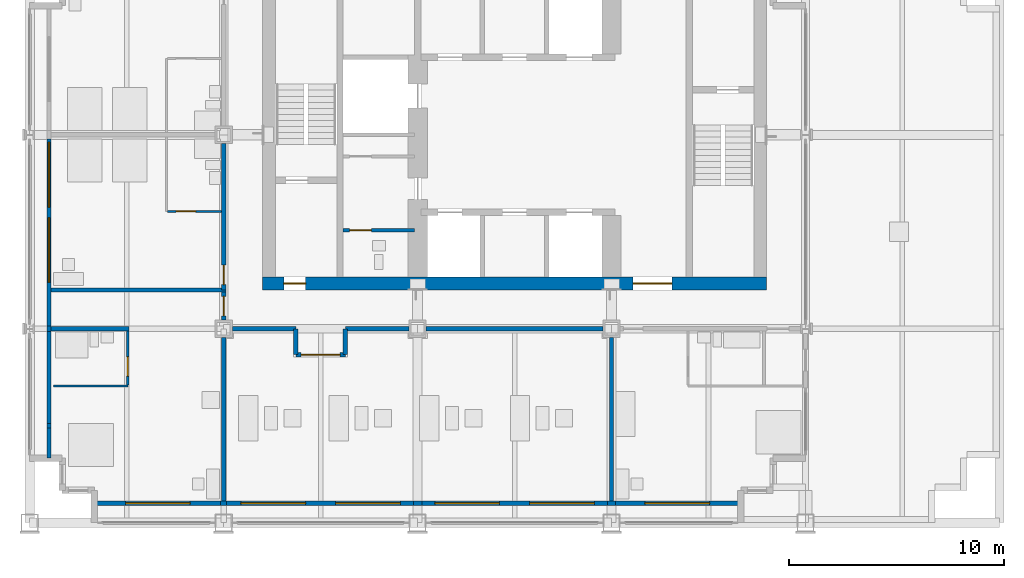
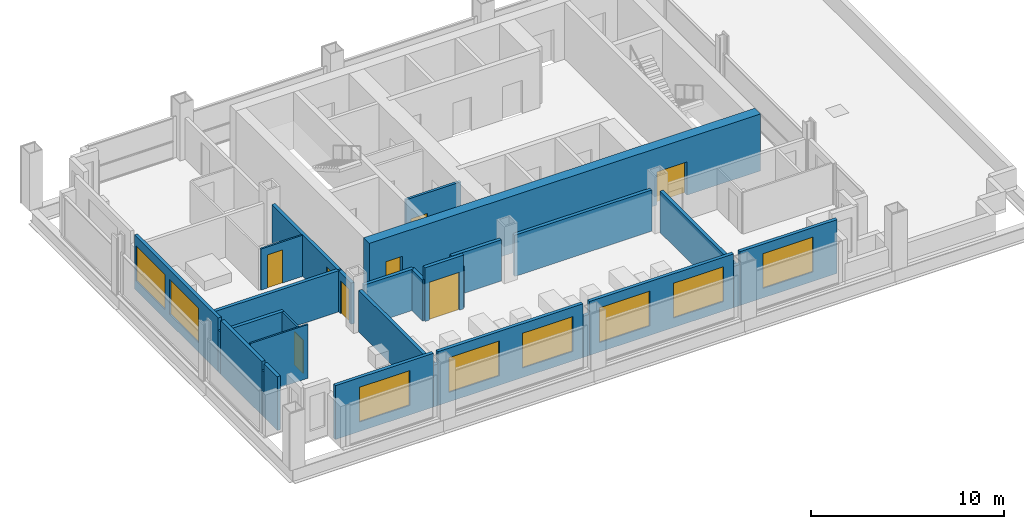
# One storey, part 6 of 12: 29 walls, 8 doors, 8 windows, 16 openings.
"""IFC4 building model written with IfcOpenShell, lengths in metres."""

import ifcopenshell
import ifcopenshell.guid

model = None  # the IFC model being written
_history = None  # IfcOwnerHistory: only IFC2X3 demands one
_inside = {}  # id of a spatial element -> (the spatial element, [elements in it])
_under = {}  # id of a project, library or spatial element -> (it, [spatial elements below it])
_declared = {}  # id of a project -> (the project, [libraries it declares])
_typed = {}  # id of a type object -> (the type object, [elements of that type])
_made_of = {}  # id of a material, layer set ... -> (it, [elements and type objects made of it])


def new_model(schema):
    """Start an empty IFC model of exactly this schema.

    Asked for "IFC4X3", IfcOpenShell would pick the latest addendum, in which some entities
    have other attributes; the version numbers below select the first issue.
    IFC2X3 requires an IfcOwnerHistory on every rooted entity: one is made here for all.
    """
    global model, _history
    if schema == "IFC4X3":
        model = ifcopenshell.file(schema_version=(4, 3, 0, 0))
    else:
        model = ifcopenshell.file(schema=schema)
    _inside.clear()
    _under.clear()
    _declared.clear()
    _typed.clear()
    _made_of.clear()
    _history = None
    if model.schema == "IFC2X3":
        org = make("IfcOrganization", Name="unknown")
        user = make(
            "IfcPersonAndOrganization",
            ThePerson=make("IfcPerson", FamilyName="unknown"),
            TheOrganization=org,
        )
        app = make(
            "IfcApplication",
            ApplicationDeveloper=org,
            Version="unknown",
            ApplicationFullName="unknown",
            ApplicationIdentifier="unknown",
        )
        _history = make(
            "IfcOwnerHistory",
            OwningUser=user,
            OwningApplication=app,
            ChangeAction="ADDED",
            CreationDate=0,
        )
    return model


def make(cls, **values):
    """One entity of the class cls with the attributes given. An attribute that is None is left unset."""
    return model.create_entity(
        cls, **{name: value for name, value in values.items() if value is not None}
    )


def rooted(cls, **values):
    """An entity with a GlobalId (a new one), such as an element, a storey or a relation."""
    return make(cls, GlobalId=ifcopenshell.guid.new(), OwnerHistory=_history, **values)


def si_unit(unit_type, name, prefix=None):
    """IfcSIUnit, for example si_unit("LENGTHUNIT", "METRE", prefix="MILLI")."""
    return make("IfcSIUnit", UnitType=unit_type, Prefix=prefix, Name=name)


def assignment(units):
    """IfcUnitAssignment: the units of a project."""
    return None if units is None else make("IfcUnitAssignment", Units=units)


def point(xyz):
    """IfcCartesianPoint."""
    return None if xyz is None else make("IfcCartesianPoint", Coordinates=xyz)


def direction(xyz):
    """IfcDirection."""
    return None if xyz is None else make("IfcDirection", DirectionRatios=xyz)


def frame(location, z_axis=None, x_axis=None):
    """IfcAxis2Placement3D, a coordinate frame: its origin and axes. An axis left out is left unset."""
    return make(
        "IfcAxis2Placement3D",
        Location=point(location),
        Axis=direction(z_axis),
        RefDirection=direction(x_axis),
    )


def frame_2d(location, x_axis=None):
    """IfcAxis2Placement2D, a coordinate frame in the plane: its origin and x axis."""
    return make(
        "IfcAxis2Placement2D", Location=point(location), RefDirection=direction(x_axis)
    )


def origin():
    """The frame at (0, 0, 0) with its axes left unset."""
    return frame((0.0, 0.0, 0.0))


def place(relative_to, where):
    """IfcLocalPlacement: puts the frame where relative to a parent placement (None: the world)."""
    return make(
        "IfcLocalPlacement", PlacementRelTo=relative_to, RelativePlacement=where
    )


def context(
    kind, dimensions, precision=None, world=None, true_north=None, identifier=None
):
    """IfcGeometricRepresentationContext, for example the 3D "Model" context."""
    return make(
        "IfcGeometricRepresentationContext",
        ContextIdentifier=identifier,
        ContextType=kind,
        CoordinateSpaceDimension=dimensions,
        Precision=precision,
        WorldCoordinateSystem=world,
        TrueNorth=true_north,
    )


def subcontext(parent, identifier, kind, view, scale=None):
    """IfcGeometricRepresentationSubContext, for example "Body" below "Model"."""
    return make(
        "IfcGeometricRepresentationSubContext",
        ContextIdentifier=identifier,
        ContextType=kind,
        ParentContext=parent,
        TargetScale=scale,
        TargetView=view,
    )


def project(units=None, contexts=None):
    """IfcProject with its units and contexts."""
    return rooted(
        "IfcProject",
        Name="project",
        RepresentationContexts=contexts,
        UnitsInContext=assignment(units),
    )


def spatial(cls, under=None, at=None, **own):
    """A site, building, storey or space (cls), placed at a placement, below another one or the project."""
    s = rooted(cls, ObjectPlacement=at, **own)
    if under is not None:
        _under.setdefault(under.id(), (under, []))[1].append(s)
    return s


def profile(cls, at=None, kind="AREA", **sizes):
    """A parametric profile (cls). Its sizes go by their IFC names, for example OverallWidth=200.0."""
    return make(cls, ProfileType=kind, Position=at, **sizes)


def rectangle(**sizes):
    """IfcRectangleProfileDef."""
    return profile("IfcRectangleProfileDef", **sizes)


def extrude(swept, where, along, depth):
    """IfcExtrudedAreaSolid: the profile swept, set in the frame where, extruded along a direction by depth."""
    return make(
        "IfcExtrudedAreaSolid",
        SweptArea=swept,
        Position=where,
        ExtrudedDirection=direction(along),
        Depth=depth,
    )


def shape(context_of_items, identifier, shape_type, items):
    """IfcShapeRepresentation: the items that make up one representation, for example the "Body"."""
    return make(
        "IfcShapeRepresentation",
        ContextOfItems=context_of_items,
        RepresentationIdentifier=identifier,
        RepresentationType=shape_type,
        Items=items,
    )


def material(Name=None, Category=None):
    """IfcMaterial."""
    return make("IfcMaterial", Name=Name, Category=Category)


def layer(
    of_material, thickness, ventilated=None, Name=None, Category=None, Priority=None
):
    """IfcMaterialLayer: one layer of a wall or slab, of a material (None: an air gap)."""
    return make(
        "IfcMaterialLayer",
        Material=of_material,
        LayerThickness=thickness,
        IsVentilated=ventilated,
        Name=Name,
        Category=Category,
        Priority=Priority,
    )


def layer_set(layers, Name=None):
    """IfcMaterialLayerSet."""
    return make("IfcMaterialLayerSet", MaterialLayers=layers, LayerSetName=Name)


def made_of(thing, what):
    """Note that an element or type object is made of a material, layer set ...; save() writes the relation."""
    if what is not None:
        _made_of.setdefault(what.id(), (what, []))[1].append(thing)
    return thing


def type_object(cls, material=None, **own):
    """A type object (cls), such as IfcWallType, which elements share."""
    return made_of(rooted(cls, **own), material)


def element(
    cls,
    number,
    at=None,
    inside=None,
    cuts=None,
    type_object=None,
    material=None,
    context=None,
    identifier="Body",
    shape_type=None,
    held_by="IfcProductDefinitionShape",
    body=None,
    shapes=None,
    **own,
):
    """One element of the class cls, such as IfcWall. Its Tag is "e" and its number.

    at: its placement. inside: the storey or other place that contains it. cuts: it is an
    opening in that element (IfcRelVoidsElement). A single representation is given by context,
    identifier, shape_type and body (its items); several are given by shapes. held_by: the class
    of the entity that holds the representations. save() writes the other relations.
    """
    e = rooted(cls, Tag="e%d" % number, ObjectPlacement=at, **own)
    if body is not None:
        shapes = [shape(context, identifier, shape_type, body)]
    if shapes is not None:
        e.Representation = make(held_by, Representations=shapes)
    if inside is not None:
        _inside.setdefault(inside.id(), (inside, []))[1].append(e)
    if cuts is not None:
        rooted(
            "IfcRelVoidsElement", RelatingBuildingElement=cuts, RelatedOpeningElement=e
        )
    if type_object is not None:
        _typed.setdefault(type_object.id(), (type_object, []))[1].append(e)
    return made_of(e, material)


def fill(opening, filler):
    """IfcRelFillsElement: the door or window that sits in an opening."""
    return rooted(
        "IfcRelFillsElement",
        RelatingOpeningElement=opening,
        RelatedBuildingElement=filler,
    )


def aggregate(whole, parts):
    """IfcRelAggregates: a whole, such as a stair, and the parts it consists of."""
    return rooted("IfcRelAggregates", RelatingObject=whole, RelatedObjects=parts)


def save(model, path):
    """Write the relations noted so far, then the file.

    IfcRelAggregates (storeys below a building ...), IfcRelContainedInSpatialStructure (elements
    in a storey), IfcRelDefinesByType, IfcRelAssociatesMaterial and IfcRelDeclares: one each for
    every whole, place, type object, material and project.
    """
    for whole, parts in _under.values():
        aggregate(whole, parts)
    for where, things in _inside.values():
        rooted(
            "IfcRelContainedInSpatialStructure",
            RelatedElements=things,
            RelatingStructure=where,
        )
    for kind, things in _typed.values():
        rooted("IfcRelDefinesByType", RelatedObjects=things, RelatingType=kind)
    for what, things in _made_of.values():
        rooted("IfcRelAssociatesMaterial", RelatedObjects=things, RelatingMaterial=what)
    for by, libraries in _declared.values():
        rooted("IfcRelDeclares", RelatingContext=by, RelatedDefinitions=libraries)
    model.write(path)


model = new_model("IFC4")

# Units and contexts
model_context = context("Model", 3, precision=1e-05, world=origin(), true_north=direction((0.0, 1.0)))
body_context = subcontext(model_context, "Body", "Model", "MODEL_VIEW")
ifc_project = project(units=[si_unit("LENGTHUNIT", "METRE"), si_unit("AREAUNIT", "SQUARE_METRE"), si_unit("VOLUMEUNIT", "CUBIC_METRE"), si_unit("PLANEANGLEUNIT", "RADIAN"), si_unit("MASSUNIT", "GRAM", prefix="KILO")], contexts=[model_context])

# Site, building, storey
site_placement = place(None, origin())
site = spatial("IfcSite", under=ifc_project, at=site_placement, CompositionType="ELEMENT")
building_placement = place(site_placement, origin())
building = spatial("IfcBuilding", under=site, at=building_placement, Name="Loomwork Tower", CompositionType="ELEMENT")
storey_placement = place(building_placement, frame((0.0, 0.0, 226.60009765625)))
storey = spatial("IfcBuildingStorey", under=building, at=storey_placement, Name="L62", CompositionType="ELEMENT", Elevation=226.60009765625)

# Wall, openings, doors
ifc_material_1 = material(Name="Concrete 14000 psi (97 MPa)", Category="concrete")
ifc_layer_1 = layer(ifc_material_1, 0.60009765625)
ifc_layer_set_1 = layer_set([ifc_layer_1], Name="Core shear wall 600")
wall_type_1 = type_object("IfcWallType", Name="Core shear wall 600", PredefinedType="SHEAR", material=ifc_layer_set_1)
wall_1_placement = place(storey_placement, frame((10.800048828125, 11.10009765625, 0.0), z_axis=(0.0, 0.0, 1.0), x_axis=(1.0, 0.0, 0.0)))
wall_1 = element("IfcWall", 1, at=wall_1_placement, inside=storey, type_object=wall_type_1, Name="Core wall south L62", PredefinedType="SHEAR", context=body_context, shape_type="SweptSolid", body=[
    extrude(rectangle(XDim=23.39990234375, YDim=0.60009765625, at=frame_2d((11.699951171875, 0.0))), origin(), (0.0, 0.0, 1.0), 3.599853515625),
])
opening_1_placement = place(wall_1_placement, frame((1.0, 0.0, 0.0)))
opening_1 = element("IfcOpeningElement", 2, at=opening_1_placement, cuts=wall_1, Name="Opening D4", PredefinedType="OPENING", context=body_context, shape_type="SweptSolid", body=[
    extrude(rectangle(XDim=1.0, YDim=2.10009765625, at=frame_2d((0.5, 1.050048828125))), frame((0.0, 0.31005859375, 0.0), z_axis=(0.0, -1.0, 0.0), x_axis=(1.0, 0.0, 0.0)), (0.0, 0.0, 1.0), 0.6201171875),
])
opening_2_placement = place(wall_1_placement, frame((17.199951171875, 0.0, 0.0)))
opening_2 = element("IfcOpeningElement", 3, at=opening_2_placement, cuts=wall_1, Name="Opening D6", PredefinedType="OPENING", context=body_context, shape_type="SweptSolid", body=[
    extrude(rectangle(XDim=1.800048828125, YDim=2.10009765625, at=frame_2d((0.89990234375, 1.050048828125))), frame((0.0, 0.31005859375, 0.0), z_axis=(0.0, -1.0, 0.0), x_axis=(1.0, 0.0, 0.0)), (0.0, 0.0, 1.0), 0.6201171875),
])
ifc_material_2 = material(Name="Hollow metal door and frame")
door_type_1 = type_object("IfcDoorType", Name="Lobby passage double door 1800", OperationType="DOUBLE_DOOR_SINGLE_SWING", PredefinedType="DOOR", material=ifc_material_2)
door_1_placement = place(opening_2_placement, origin())
door_1 = element("IfcDoor", 4, at=door_1_placement, inside=storey, type_object=door_type_1, Name="Lobby passage door south", OperationType="DOUBLE_DOOR_SINGLE_SWING", OverallHeight=2.10009765625, OverallWidth=1.800048828125, PredefinedType="DOOR", context=body_context, shape_type="SweptSolid", body=[
    extrude(rectangle(XDim=1.800048828125, YDim=2.10009765625, at=frame_2d((0.89990234375, 1.050048828125))), frame((0.0, 0.02490234375, 0.0), z_axis=(0.0, -1.0, 0.0), x_axis=(1.0, 0.0, 0.0)), (0.0, 0.0, 1.0), 0.050048828125),
])
fill(opening_2, door_1)
ifc_material_3 = material(Name="Hollow metal door and frame")
door_type_2 = type_object("IfcDoorType", Name="Stair door 1000", OperationType="SINGLE_SWING_RIGHT", PredefinedType="DOOR", material=ifc_material_3)
door_2_placement = place(opening_1_placement, origin())
door_2 = element("IfcDoor", 5, at=door_2_placement, inside=storey, type_object=door_type_2, Name="Stair A vestibule door", OperationType="SINGLE_SWING_LEFT", OverallHeight=2.10009765625, OverallWidth=1.0, PredefinedType="DOOR", context=body_context, shape_type="SweptSolid", body=[
    extrude(rectangle(XDim=1.0, YDim=2.10009765625, at=frame_2d((0.5, 1.050048828125))), frame((0.0, 0.02490234375, 0.0), z_axis=(0.0, -1.0, 0.0), x_axis=(1.0, 0.0, 0.0)), (0.0, 0.0, 1.0), 0.050048828125),
])
fill(opening_1, door_2)

# Walls
ifc_material_4 = material(Name="Gypsum board on steel studs, one-hour", Category="steel")
ifc_layer_2 = layer(ifc_material_4, 0.199951171875)
ifc_layer_set_2 = layer_set([ifc_layer_2], Name="Corridor wall 200")
wall_type_2 = type_object("IfcWallType", Name="Corridor wall 200", PredefinedType="PARTITIONING", material=ifc_layer_set_2)
wall_2_placement = place(storey_placement, frame((1.0, 9.0, 0.0), z_axis=(0.0, 0.0, 1.0), x_axis=(1.0, 0.0, 0.0)))
element("IfcWall", 6, at=wall_2_placement, inside=storey, type_object=wall_type_2, Name="South corridor wall 1", PredefinedType="PARTITIONING", context=body_context, shape_type="SweptSolid", body=[
    extrude(rectangle(XDim=3.60009765625, YDim=0.199951171875, at=frame_2d((1.800048828125, 0.0))), origin(), (0.0, 0.0, 1.0), 2.637939453125),
])
wall_3_placement = place(storey_placement, frame((9.39990234375, 9.0, 0.0), z_axis=(0.0, 0.0, 1.0), x_axis=(1.0, 0.0, 0.0)))
element("IfcWall", 7, at=wall_3_placement, inside=storey, type_object=wall_type_2, Name="South corridor wall 2", PredefinedType="PARTITIONING", context=body_context, shape_type="SweptSolid", body=[
    extrude(rectangle(XDim=2.9501953125, YDim=0.199951171875, at=frame_2d((1.47509765625, 0.0))), origin(), (0.0, 0.0, 1.0), 2.60498046875),
])
wall_4_placement = place(storey_placement, frame((18.39990234375, 9.0, 0.0), z_axis=(0.0, 0.0, 1.0), x_axis=(1.0, 0.0, 0.0)))
element("IfcWall", 8, at=wall_4_placement, inside=storey, type_object=wall_type_2, Name="South corridor wall 3", PredefinedType="PARTITIONING", context=body_context, shape_type="SweptSolid", body=[
    extrude(rectangle(XDim=8.2001953125, YDim=0.199951171875, at=frame_2d((4.10009765625, 0.0))), origin(), (0.0, 0.0, 1.0), 2.60498046875),
])

# Wall, opening, door
wall_5_placement = place(storey_placement, frame((9.0, 10.800048828125, 0.0), z_axis=(0.0, 0.0, 1.0), x_axis=(0.0, 1.0, 0.0)))
wall_5 = element("IfcWall", 9, at=wall_5_placement, inside=storey, type_object=wall_type_2, Name="West corridor wall 1", PredefinedType="PARTITIONING", context=body_context, shape_type="SweptSolid", body=[
    extrude(rectangle(XDim=6.800048828125, YDim=0.199951171875, at=frame_2d((3.39990234375, 0.0))), origin(), (0.0, 0.0, 1.0), 2.60498046875),
])
opening_3_placement = place(wall_5_placement, frame((0.25, 0.0, 0.0)))
opening_3 = element("IfcOpeningElement", 10, at=opening_3_placement, cuts=wall_5, Name="Opening D1", PredefinedType="OPENING", context=body_context, shape_type="SweptSolid", body=[
    extrude(rectangle(XDim=0.89990234375, YDim=2.10009765625, at=frame_2d((0.449951171875, 1.050048828125))), frame((0.0, 0.10986328125, 0.0), z_axis=(0.0, -1.0, 0.0), x_axis=(1.0, 0.0, 0.0)), (0.0, 0.0, 1.0), 0.219970703125),
])
ifc_material_5 = material(Name="Hollow metal door and frame")
door_type_3 = type_object("IfcDoorType", Name="Guest room entry door 900", OperationType="SINGLE_SWING_LEFT", PredefinedType="DOOR", material=ifc_material_5)
door_3_placement = place(opening_3_placement, origin())
door_3 = element("IfcDoor", 11, at=door_3_placement, inside=storey, type_object=door_type_3, Name="Guest room entry door L62 4", OperationType="SINGLE_SWING_LEFT", OverallHeight=2.10009765625, OverallWidth=0.89990234375, PredefinedType="DOOR", context=body_context, shape_type="SweptSolid", body=[
    extrude(rectangle(XDim=0.89990234375, YDim=2.10009765625, at=frame_2d((0.449951171875, 1.050048828125))), frame((0.0, 0.02490234375, 0.0), z_axis=(0.0, -1.0, 0.0), x_axis=(1.0, 0.0, 0.0)), (0.0, 0.0, 1.0), 0.050048828125),
])
fill(opening_3, door_3)

# Walls
wall_6_placement = place(storey_placement, frame((1.0, 10.800048828125, 0.0), z_axis=(0.0, 0.0, 1.0), x_axis=(1.0, 0.0, 0.0)))
element("IfcWall", 12, at=wall_6_placement, inside=storey, type_object=wall_type_2, Name="West band end wall S", PredefinedType="PARTITIONING", context=body_context, shape_type="SweptSolid", body=[
    extrude(rectangle(XDim=8.10009765625, YDim=0.199951171875, at=frame_2d((4.050048828125, 0.0))), origin(), (0.0, 0.0, 1.0), 2.60400390625),
])
wall_7_placement = place(storey_placement, frame((14.64990234375, 9.0, 0.0), z_axis=(0.0, 0.0, 1.0), x_axis=(1.0, 0.0, 0.0)))
element("IfcWall", 13, at=wall_7_placement, inside=storey, type_object=wall_type_2, Name="South corridor wall 2", PredefinedType="PARTITIONING", context=body_context, shape_type="SweptSolid", body=[
    extrude(rectangle(XDim=2.9501953125, YDim=0.199951171875, at=frame_2d((1.47509765625, 0.0))), origin(), (0.0, 0.0, 1.0), 2.60498046875),
])
for number, where, z_axis, x_axis, name in (
    (14, (12.35009765625, 9.0, 0.0), (0.0, 0.0, 1.0), (0.0, -1.0, 0.0), "Sky club lounge door L62 alcove wall"),
    (15, (14.64990234375, 9.0, 0.0), (0.0, 0.0, 1.0), (0.0, -1.0, 0.0), "Sky club lounge door L62 alcove wall"),
):
    element("IfcWall", number, at=place(storey_placement, frame(where, z_axis=z_axis, x_axis=x_axis)), inside=storey, type_object=wall_type_2, Name=name, PredefinedType="PARTITIONING", context=body_context, shape_type="SweptSolid", body=[
        extrude(rectangle(XDim=1.199951171875, YDim=0.199951171875, at=frame_2d((0.60009765625, 0.0))), origin(), (0.0, 0.0, 1.0), 2.60400390625),
    ])

# Wall, opening, door
wall_8_placement = place(storey_placement, frame((12.35009765625, 7.800048828125, 0.0), z_axis=(0.0, 0.0, 1.0), x_axis=(1.0, 0.0, 0.0)))
wall_8 = element("IfcWall", 16, at=wall_8_placement, inside=storey, type_object=wall_type_2, Name="Sky club lounge door L62 alcove wall", PredefinedType="PARTITIONING", context=body_context, shape_type="SweptSolid", body=[
    extrude(rectangle(XDim=2.2998046875, YDim=0.199951171875, at=frame_2d((1.14990234375, 0.0))), origin(), (0.0, 0.0, 1.0), 3.39990234375),
])
opening_4_placement = place(wall_8_placement, frame((0.25, 0.0, 0.0)))
opening_4 = element("IfcOpeningElement", 17, at=opening_4_placement, cuts=wall_8, Name="Opening D16", PredefinedType="OPENING", context=body_context, shape_type="SweptSolid", body=[
    extrude(rectangle(XDim=1.800048828125, YDim=2.39990234375, at=frame_2d((0.89990234375, 1.199951171875))), frame((0.0, 0.10986328125, 0.0), z_axis=(0.0, -1.0, 0.0), x_axis=(1.0, 0.0, 0.0)), (0.0, 0.0, 1.0), 0.219970703125),
])
ifc_material_6 = material(Name="Hollow metal door and frame")
door_type_4 = type_object("IfcDoorType", Name="Fire-rated double door 1800", OperationType="DOUBLE_DOOR_SINGLE_SWING", PredefinedType="DOOR", material=ifc_material_6)
door_4_placement = place(opening_4_placement, origin())
door_4 = element("IfcDoor", 18, at=door_4_placement, inside=storey, type_object=door_type_4, Name="Sky club lounge door L62", OperationType="DOUBLE_DOOR_SINGLE_SWING", OverallHeight=2.39990234375, OverallWidth=1.800048828125, PredefinedType="DOOR", context=body_context, shape_type="SweptSolid", body=[
    extrude(rectangle(XDim=1.800048828125, YDim=2.39990234375, at=frame_2d((0.89990234375, 1.199951171875))), frame((0.0, 0.02490234375, 0.0), z_axis=(0.0, -1.0, 0.0), x_axis=(1.0, 0.0, 0.0)), (0.0, 0.0, 1.0), 0.050048828125),
])
fill(opening_4, door_4)

wall_9_placement = place(storey_placement, frame((9.0, 9.39990234375, 0.0), z_axis=(0.0, 0.0, 1.0), x_axis=(0.0, 1.0, 0.0)))
wall_9 = element("IfcWall", 19, at=wall_9_placement, inside=storey, type_object=wall_type_2, Name="Corner suite foyer wall", PredefinedType="PARTITIONING", context=body_context, shape_type="SweptSolid", body=[
    extrude(rectangle(XDim=1.300048828125, YDim=0.199951171875, at=frame_2d((0.64990234375, 0.0))), origin(), (0.0, 0.0, 1.0), 2.60498046875),
])
opening_5_placement = place(wall_9_placement, frame((0.199951171875, 0.0, 0.0)))
opening_5 = element("IfcOpeningElement", 20, at=opening_5_placement, cuts=wall_9, Name="Opening D1", PredefinedType="OPENING", context=body_context, shape_type="SweptSolid", body=[
    extrude(rectangle(XDim=0.89990234375, YDim=2.10009765625, at=frame_2d((0.449951171875, 1.050048828125))), frame((0.0, 0.10986328125, 0.0), z_axis=(0.0, -1.0, 0.0), x_axis=(1.0, 0.0, 0.0)), (0.0, 0.0, 1.0), 0.219970703125),
])
door_5_placement = place(opening_5_placement, origin())
door_5 = element("IfcDoor", 21, at=door_5_placement, inside=storey, type_object=door_type_3, Name="Guest room entry door L62 1", OperationType="SINGLE_SWING_RIGHT", OverallHeight=2.10009765625, OverallWidth=0.89990234375, PredefinedType="DOOR", context=body_context, shape_type="SweptSolid", body=[
    extrude(rectangle(XDim=0.89990234375, YDim=2.10009765625, at=frame_2d((0.449951171875, 1.050048828125))), frame((0.0, 0.02490234375, 0.0), z_axis=(0.0, -1.0, 0.0), x_axis=(1.0, 0.0, 0.0)), (0.0, 0.0, 1.0), 0.050048828125),
])
fill(opening_5, door_5)

# Wall
ifc_material_7 = material(Name="Cement board on steel studs", Category="steel")
ifc_layer_3 = layer(ifc_material_7, 0.10009765625)
ifc_layer_set_3 = layer_set([ifc_layer_3], Name="En-suite partition 100")
wall_type_3 = type_object("IfcWallType", Name="En-suite partition 100", PredefinedType="PARTITIONING", material=ifc_layer_set_3)
wall_10_placement = place(storey_placement, frame((1.10009765625, 6.35009765625, 0.0), z_axis=(0.0, 0.0, 1.0), x_axis=(1.0, 0.0, 0.0)))
element("IfcWall", 22, at=wall_10_placement, inside=storey, type_object=wall_type_3, Name="En-suite wall L62 room 1", PredefinedType="PARTITIONING", context=body_context, shape_type="SweptSolid", body=[
    extrude(rectangle(XDim=3.449951171875, YDim=0.10009765625, at=frame_2d((1.72509765625, 0.0))), origin(), (0.0, 0.0, 1.0), 3.39990234375),
])

# Wall, opening, door
wall_11_placement = place(storey_placement, frame((4.550048828125, 8.89990234375, 0.0), z_axis=(0.0, 0.0, 1.0), x_axis=(0.0, -1.0, 0.0)))
wall_11 = element("IfcWall", 23, at=wall_11_placement, inside=storey, type_object=wall_type_3, Name="En-suite side wall L62 room 1", PredefinedType="PARTITIONING", context=body_context, shape_type="SweptSolid", body=[
    extrude(rectangle(XDim=2.5, YDim=0.10009765625, at=frame_2d((1.25, 0.0))), origin(), (0.0, 0.0, 1.0), 2.637939453125),
])
opening_6_placement = place(wall_11_placement, frame((1.199951171875, 0.0, 0.0)))
opening_6 = element("IfcOpeningElement", 24, at=opening_6_placement, cuts=wall_11, Name="Opening D3", PredefinedType="OPENING", context=body_context, shape_type="SweptSolid", body=[
    extrude(rectangle(XDim=0.89990234375, YDim=2.10009765625, at=frame_2d((0.449951171875, 1.050048828125))), frame((0.0, 0.06005859375, 0.0), z_axis=(0.0, -1.0, 0.0), x_axis=(1.0, 0.0, 0.0)), (0.0, 0.0, 1.0), 0.1201171875),
])
ifc_material_8 = material(Name="Hollow metal door and frame")
door_type_5 = type_object("IfcDoorType", Name="Accessible en-suite door 900", OperationType="SLIDING_TO_LEFT", PredefinedType="DOOR", material=ifc_material_8)
door_6_placement = place(opening_6_placement, origin())
door_6 = element("IfcDoor", 25, at=door_6_placement, inside=storey, type_object=door_type_5, Name="Accessible en-suite door room 1", OperationType="SLIDING_TO_LEFT", OverallHeight=2.10009765625, OverallWidth=0.89990234375, PredefinedType="DOOR", context=body_context, shape_type="SweptSolid", body=[
    extrude(rectangle(XDim=0.89990234375, YDim=2.10009765625, at=frame_2d((0.449951171875, 1.050048828125))), frame((0.0, 0.02490234375, 0.0), z_axis=(0.0, -1.0, 0.0), x_axis=(1.0, 0.0, 0.0)), (0.0, 0.0, 1.0), 0.050048828125),
])
fill(opening_6, door_6)

wall_12_placement = place(storey_placement, frame((8.89990234375, 14.449951171875, 0.0), z_axis=(0.0, 0.0, 1.0), x_axis=(-1.0, 0.0, 0.0)))
wall_12 = element("IfcWall", 26, at=wall_12_placement, inside=storey, type_object=wall_type_3, Name="En-suite side wall L62 room 4", PredefinedType="PARTITIONING", context=body_context, shape_type="SweptSolid", body=[
    extrude(rectangle(XDim=2.5, YDim=0.10009765625, at=frame_2d((1.25, 0.0))), origin(), (0.0, 0.0, 1.0), 2.60400390625),
])
opening_7_placement = place(wall_12_placement, frame((1.199951171875, 0.0, 0.0)))
opening_7 = element("IfcOpeningElement", 27, at=opening_7_placement, cuts=wall_12, Name="Opening D2", PredefinedType="OPENING", context=body_context, shape_type="SweptSolid", body=[
    extrude(rectangle(XDim=0.89990234375, YDim=2.10009765625, at=frame_2d((0.449951171875, 1.050048828125))), frame((0.0, 0.06005859375, 0.0), z_axis=(0.0, -1.0, 0.0), x_axis=(1.0, 0.0, 0.0)), (0.0, 0.0, 1.0), 0.1201171875),
])
ifc_material_9 = material(Name="Hollow metal door and frame")
door_type_6 = type_object("IfcDoorType", Name="En-suite door 900", OperationType="SINGLE_SWING_LEFT", PredefinedType="DOOR", material=ifc_material_9)
door_7_placement = place(opening_7_placement, frame((0.89990234375, 0.0, 0.0), z_axis=(0.0, 0.0, 1.0), x_axis=(-1.0, 0.0, 0.0)))
door_7 = element("IfcDoor", 28, at=door_7_placement, inside=storey, type_object=door_type_6, Name="En-suite door room 4", OperationType="SINGLE_SWING_LEFT", OverallHeight=2.10009765625, OverallWidth=0.89990234375, PredefinedType="DOOR", context=body_context, shape_type="SweptSolid", body=[
    extrude(rectangle(XDim=0.89990234375, YDim=2.10009765625, at=frame_2d((0.449951171875, 1.050048828125))), frame((0.0, 0.02490234375, 0.0), z_axis=(0.0, -1.0, 0.0), x_axis=(1.0, 0.0, 0.0)), (0.0, 0.0, 1.0), 0.050048828125),
])
fill(opening_7, door_7)

# Walls
ifc_material_10 = material(Name="Gypsum board on steel studs, acoustic", Category="steel")
ifc_layer_4 = layer(ifc_material_10, 0.199951171875)
ifc_layer_set_4 = layer_set([ifc_layer_4], Name="Guest room party wall 200")
wall_type_4 = type_object("IfcWallType", Name="Guest room party wall 200", PredefinedType="PARTITIONING", material=ifc_layer_set_4)
wall_13_placement = place(storey_placement, frame((9.0, 8.60009765625, 0.0), z_axis=(0.0, 0.0, 1.0), x_axis=(0.0, -1.0, 0.0)))
element("IfcWall", 29, at=wall_13_placement, inside=storey, type_object=wall_type_4, Name="Guest room party wall S 9", PredefinedType="PARTITIONING", context=body_context, shape_type="SweptSolid", body=[
    extrude(rectangle(XDim=7.60009765625, YDim=0.199951171875, at=frame_2d((3.800048828125, 0.0))), origin(), (0.0, 0.0, 1.0), 2.637939453125),
])
wall_14_placement = place(storey_placement, frame((27.0, 8.60009765625, 0.0), z_axis=(0.0, 0.0, 1.0), x_axis=(0.0, -1.0, 0.0)))
element("IfcWall", 30, at=wall_14_placement, inside=storey, type_object=wall_type_4, Name="Guest room party wall S 27", PredefinedType="PARTITIONING", context=body_context, shape_type="SweptSolid", body=[
    extrude(rectangle(XDim=7.60009765625, YDim=0.199951171875, at=frame_2d((3.800048828125, 0.0))), origin(), (0.0, 0.0, 1.0), 2.60498046875),
])

# Wall, opening, window
ifc_material_11 = material(Name="Insulated steel stud wall with gypsum lining", Category="steel")
ifc_layer_5 = layer(ifc_material_11, 0.199951171875)
ifc_layer_set_5 = layer_set([ifc_layer_5], Name="Inner skin wall 200")
wall_type_5 = type_object("IfcWallType", Name="Inner skin wall 200", PredefinedType="SOLIDWALL", material=ifc_layer_set_5)
wall_15_placement = place(storey_placement, frame((3.0, 0.89990234375, 0.0), z_axis=(0.0, 0.0, 1.0), x_axis=(1.0, 0.0, 0.0)))
wall_15 = element("IfcWall", 31, at=wall_15_placement, inside=storey, type_object=wall_type_5, Name="Inner skin wall S", PredefinedType="SOLIDWALL", context=body_context, shape_type="SweptSolid", body=[
    extrude(rectangle(XDim=5.86474609375, YDim=0.199951171875, at=frame_2d((2.932373046875, 0.0))), origin(), (0.0, 0.0, 1.0), 3.39990234375),
])
opening_8_placement = place(wall_15_placement, frame((1.449951171875, 0.0, 0.60009765625)))
opening_8 = element("IfcOpeningElement", 32, at=opening_8_placement, cuts=wall_15, Name="Opening CH1", PredefinedType="OPENING", context=body_context, shape_type="SweptSolid", body=[
    extrude(rectangle(XDim=3.0, YDim=2.199951171875, at=frame_2d((1.5, 1.10009765625))), frame((0.0, 0.10986328125, 0.0), z_axis=(0.0, -1.0, 0.0), x_axis=(1.0, 0.0, 0.0)), (0.0, 0.0, 1.0), 0.219970703125),
])
ifc_material_12 = material(Name="Aluminium frame with clear insulated glass", Category="aluminium")
window_type = type_object("IfcWindowType", Name="Chicago window 3000", PartitioningType="TRIPLE_PANEL_VERTICAL", PredefinedType="WINDOW", material=ifc_material_12)
window_1_placement = place(opening_8_placement, origin())
window_1 = element("IfcWindow", 33, at=window_1_placement, inside=storey, type_object=window_type, Name="Chicago window L62 bay 1", OverallHeight=2.199951171875, OverallWidth=3.0, PartitioningType="TRIPLE_PANEL_VERTICAL", PredefinedType="WINDOW", context=body_context, shape_type="SweptSolid", body=[
    extrude(rectangle(XDim=3.0, YDim=2.199951171875, at=frame_2d((1.5, 1.10009765625))), frame((0.0, 0.030029296875, 0.0), z_axis=(0.0, -1.0, 0.0), x_axis=(1.0, 0.0, 0.0)), (0.0, 0.0, 1.0), 0.06005859375),
])
fill(opening_8, window_1)

# Walls
wall_16_placement = place(storey_placement, frame((0.89990234375, 3.0, 0.0), z_axis=(0.0, 0.0, 1.0), x_axis=(0.0, 1.0, 0.0)))
element("IfcWall", 34, at=wall_16_placement, inside=storey, type_object=wall_type_5, Name="Inner skin wall W", PredefinedType="SOLIDWALL", context=body_context, shape_type="SweptSolid", body=[
    extrude(rectangle(XDim=1.392578125, YDim=0.199951171875, at=frame_2d((0.6962890625, 0.0))), origin(), (0.0, 0.0, 1.0), 3.39990234375),
])
wall_17_placement = place(storey_placement, frame((8.86474609375, 0.89990234375, 0.0), z_axis=(0.0, 0.0, 1.0), x_axis=(1.0, 0.0, 0.0)))
element("IfcWall", 35, at=wall_17_placement, inside=storey, type_object=wall_type_5, Name="Inner skin wall S bay 2", PredefinedType="SOLIDWALL", context=body_context, shape_type="SweptSolid", body=[
    extrude(rectangle(XDim=0.2705078125, YDim=0.199951171875, at=frame_2d((0.13525390625, 0.0))), origin(), (0.0, 0.0, 1.0), 2.637939453125),
])

# Wall, openings, windows
wall_18_placement = place(storey_placement, frame((9.13525390625, 0.89990234375, 0.0), z_axis=(0.0, 0.0, 1.0), x_axis=(1.0, 0.0, 0.0)))
wall_18 = element("IfcWall", 36, at=wall_18_placement, inside=storey, type_object=wall_type_5, Name="Inner skin wall S bay 3", PredefinedType="SOLIDWALL", context=body_context, shape_type="SweptSolid", body=[
    extrude(rectangle(XDim=8.6708984375, YDim=0.199951171875, at=frame_2d((4.33544921875, 0.0))), origin(), (0.0, 0.0, 1.0), 3.39990234375),
])
opening_9_placement = place(wall_18_placement, frame((0.664794921875, 0.0, 0.60009765625)))
opening_9 = element("IfcOpeningElement", 37, at=opening_9_placement, cuts=wall_18, Name="Opening CH1", PredefinedType="OPENING", context=body_context, shape_type="SweptSolid", body=[
    extrude(rectangle(XDim=3.0, YDim=2.199951171875, at=frame_2d((1.5, 1.10009765625))), frame((0.0, 0.10986328125, 0.0), z_axis=(0.0, -1.0, 0.0), x_axis=(1.0, 0.0, 0.0)), (0.0, 0.0, 1.0), 0.219970703125),
])
opening_10_placement = place(wall_18_placement, frame((5.064697265625, 0.0, 0.60009765625)))
opening_10 = element("IfcOpeningElement", 38, at=opening_10_placement, cuts=wall_18, Name="Opening CH1", PredefinedType="OPENING", context=body_context, shape_type="SweptSolid", body=[
    extrude(rectangle(XDim=3.0, YDim=2.199951171875, at=frame_2d((1.5, 1.10009765625))), frame((0.0, 0.10986328125, 0.0), z_axis=(0.0, -1.0, 0.0), x_axis=(1.0, 0.0, 0.0)), (0.0, 0.0, 1.0), 0.219970703125),
])
window_2_placement = place(opening_9_placement, origin())
window_2 = element("IfcWindow", 39, at=window_2_placement, inside=storey, type_object=window_type, Name="Chicago window L62 bay 2", OverallHeight=2.199951171875, OverallWidth=3.0, PartitioningType="TRIPLE_PANEL_VERTICAL", PredefinedType="WINDOW", context=body_context, shape_type="SweptSolid", body=[
    extrude(rectangle(XDim=3.0, YDim=2.199951171875, at=frame_2d((1.5, 1.10009765625))), frame((0.0, 0.030029296875, 0.0), z_axis=(0.0, -1.0, 0.0), x_axis=(1.0, 0.0, 0.0)), (0.0, 0.0, 1.0), 0.06005859375),
])
fill(opening_9, window_2)
window_3_placement = place(opening_10_placement, origin())
window_3 = element("IfcWindow", 40, at=window_3_placement, inside=storey, type_object=window_type, Name="Chicago window L62 bay 2", OverallHeight=2.199951171875, OverallWidth=3.0, PartitioningType="TRIPLE_PANEL_VERTICAL", PredefinedType="WINDOW", context=body_context, shape_type="SweptSolid", body=[
    extrude(rectangle(XDim=3.0, YDim=2.199951171875, at=frame_2d((1.5, 1.10009765625))), frame((0.0, 0.030029296875, 0.0), z_axis=(0.0, -1.0, 0.0), x_axis=(1.0, 0.0, 0.0)), (0.0, 0.0, 1.0), 0.06005859375),
])
fill(opening_10, window_3)

# Wall
wall_19_placement = place(storey_placement, frame((17.80615234375, 0.89990234375, 0.0), z_axis=(0.0, 0.0, 1.0), x_axis=(1.0, 0.0, 0.0)))
element("IfcWall", 41, at=wall_19_placement, inside=storey, type_object=wall_type_5, Name="Inner skin wall S bay 4", PredefinedType="SOLIDWALL", context=body_context, shape_type="SweptSolid", body=[
    extrude(rectangle(XDim=0.3876953125, YDim=0.199951171875, at=frame_2d((0.19384765625, 0.0))), origin(), (0.0, 0.0, 1.0), 2.60400390625),
])

# Wall, openings, windows
wall_20_placement = place(storey_placement, frame((18.19384765625, 0.89990234375, 0.0), z_axis=(0.0, 0.0, 1.0), x_axis=(1.0, 0.0, 0.0)))
wall_20 = element("IfcWall", 42, at=wall_20_placement, inside=storey, type_object=wall_type_5, Name="Inner skin wall S bay 5", PredefinedType="SOLIDWALL", context=body_context, shape_type="SweptSolid", body=[
    extrude(rectangle(XDim=8.6123046875, YDim=0.199951171875, at=frame_2d((4.30615234375, 0.0))), origin(), (0.0, 0.0, 1.0), 3.39990234375),
])
opening_11_placement = place(wall_20_placement, frame((0.606201171875, 0.0, 0.60009765625)))
opening_11 = element("IfcOpeningElement", 43, at=opening_11_placement, cuts=wall_20, Name="Opening CH1", PredefinedType="OPENING", context=body_context, shape_type="SweptSolid", body=[
    extrude(rectangle(XDim=3.0, YDim=2.199951171875, at=frame_2d((1.5, 1.10009765625))), frame((0.0, 0.10986328125, 0.0), z_axis=(0.0, -1.0, 0.0), x_axis=(1.0, 0.0, 0.0)), (0.0, 0.0, 1.0), 0.219970703125),
])
opening_12_placement = place(wall_20_placement, frame((5.006103515625, 0.0, 0.60009765625)))
opening_12 = element("IfcOpeningElement", 44, at=opening_12_placement, cuts=wall_20, Name="Opening CH1", PredefinedType="OPENING", context=body_context, shape_type="SweptSolid", body=[
    extrude(rectangle(XDim=3.0, YDim=2.199951171875, at=frame_2d((1.5, 1.10009765625))), frame((0.0, 0.10986328125, 0.0), z_axis=(0.0, -1.0, 0.0), x_axis=(1.0, 0.0, 0.0)), (0.0, 0.0, 1.0), 0.219970703125),
])
window_4_placement = place(opening_11_placement, origin())
window_4 = element("IfcWindow", 45, at=window_4_placement, inside=storey, type_object=window_type, Name="Chicago window L62 bay 3", OverallHeight=2.199951171875, OverallWidth=3.0, PartitioningType="TRIPLE_PANEL_VERTICAL", PredefinedType="WINDOW", context=body_context, shape_type="SweptSolid", body=[
    extrude(rectangle(XDim=3.0, YDim=2.199951171875, at=frame_2d((1.5, 1.10009765625))), frame((0.0, 0.030029296875, 0.0), z_axis=(0.0, -1.0, 0.0), x_axis=(1.0, 0.0, 0.0)), (0.0, 0.0, 1.0), 0.06005859375),
])
fill(opening_11, window_4)
window_5_placement = place(opening_12_placement, origin())
window_5 = element("IfcWindow", 46, at=window_5_placement, inside=storey, type_object=window_type, Name="Chicago window L62 bay 3", OverallHeight=2.199951171875, OverallWidth=3.0, PartitioningType="TRIPLE_PANEL_VERTICAL", PredefinedType="WINDOW", context=body_context, shape_type="SweptSolid", body=[
    extrude(rectangle(XDim=3.0, YDim=2.199951171875, at=frame_2d((1.5, 1.10009765625))), frame((0.0, 0.030029296875, 0.0), z_axis=(0.0, -1.0, 0.0), x_axis=(1.0, 0.0, 0.0)), (0.0, 0.0, 1.0), 0.06005859375),
])
fill(opening_12, window_5)

# Wall
wall_21_placement = place(storey_placement, frame((26.80615234375, 0.89990234375, 0.0), z_axis=(0.0, 0.0, 1.0), x_axis=(1.0, 0.0, 0.0)))
element("IfcWall", 47, at=wall_21_placement, inside=storey, type_object=wall_type_5, Name="Inner skin wall S bay 6", PredefinedType="SOLIDWALL", context=body_context, shape_type="SweptSolid", body=[
    extrude(rectangle(XDim=0.3876953125, YDim=0.199951171875, at=frame_2d((0.19384765625, 0.0))), origin(), (0.0, 0.0, 1.0), 2.60400390625),
])

# Wall, opening, window
wall_22_placement = place(storey_placement, frame((27.19384765625, 0.89990234375, 0.0), z_axis=(0.0, 0.0, 1.0), x_axis=(1.0, 0.0, 0.0)))
wall_22 = element("IfcWall", 48, at=wall_22_placement, inside=storey, type_object=wall_type_5, Name="Inner skin wall S bay 7", PredefinedType="SOLIDWALL", context=body_context, shape_type="SweptSolid", body=[
    extrude(rectangle(XDim=5.80615234375, YDim=0.199951171875, at=frame_2d((2.903076171875, 0.0))), origin(), (0.0, 0.0, 1.0), 3.39990234375),
])
opening_13_placement = place(wall_22_placement, frame((1.356201171875, 0.0, 0.60009765625)))
opening_13 = element("IfcOpeningElement", 49, at=opening_13_placement, cuts=wall_22, Name="Opening CH1", PredefinedType="OPENING", context=body_context, shape_type="SweptSolid", body=[
    extrude(rectangle(XDim=3.0, YDim=2.199951171875, at=frame_2d((1.5, 1.10009765625))), frame((0.0, 0.10986328125, 0.0), z_axis=(0.0, -1.0, 0.0), x_axis=(1.0, 0.0, 0.0)), (0.0, 0.0, 1.0), 0.219970703125),
])
window_6_placement = place(opening_13_placement, origin())
window_6 = element("IfcWindow", 50, at=window_6_placement, inside=storey, type_object=window_type, Name="Chicago window L62 bay 4", OverallHeight=2.199951171875, OverallWidth=3.0, PartitioningType="TRIPLE_PANEL_VERTICAL", PredefinedType="WINDOW", context=body_context, shape_type="SweptSolid", body=[
    extrude(rectangle(XDim=3.0, YDim=2.199951171875, at=frame_2d((1.5, 1.10009765625))), frame((0.0, 0.030029296875, 0.0), z_axis=(0.0, -1.0, 0.0), x_axis=(1.0, 0.0, 0.0)), (0.0, 0.0, 1.0), 0.06005859375),
])
fill(opening_13, window_6)

# Walls
wall_23_placement = place(storey_placement, frame((0.89990234375, 4.392578125, 0.0), z_axis=(0.0, 0.0, 1.0), x_axis=(0.0, 1.0, 0.0)))
element("IfcWall", 51, at=wall_23_placement, inside=storey, type_object=wall_type_5, Name="Inner skin wall W bay 2", PredefinedType="SOLIDWALL", context=body_context, shape_type="SweptSolid", body=[
    extrude(rectangle(XDim=0.21484375, YDim=0.199951171875, at=frame_2d((0.107421875, 0.0))), origin(), (0.0, 0.0, 1.0), 2.86083984375),
])
wall_24_placement = place(storey_placement, frame((0.89990234375, 4.607421875, 0.0), z_axis=(0.0, 0.0, 1.0), x_axis=(0.0, 1.0, 0.0)))
element("IfcWall", 52, at=wall_24_placement, inside=storey, type_object=wall_type_5, Name="Inner skin wall W bay 3", PredefinedType="SOLIDWALL", context=body_context, shape_type="SweptSolid", body=[
    extrude(rectangle(XDim=4.25732421875, YDim=0.199951171875, at=frame_2d((2.128662109375, 0.0))), origin(), (0.0, 0.0, 1.0), 3.39990234375),
])
wall_25_placement = place(storey_placement, frame((0.89990234375, 8.86474609375, 0.0), z_axis=(0.0, 0.0, 1.0), x_axis=(0.0, 1.0, 0.0)))
element("IfcWall", 53, at=wall_25_placement, inside=storey, type_object=wall_type_5, Name="Inner skin wall W bay 4", PredefinedType="SOLIDWALL", context=body_context, shape_type="SweptSolid", body=[
    extrude(rectangle(XDim=0.2705078125, YDim=0.199951171875, at=frame_2d((0.13525390625, 0.0))), origin(), (0.0, 0.0, 1.0), 2.637939453125),
])

# Wall, openings, windows
wall_26_placement = place(storey_placement, frame((0.89990234375, 9.13525390625, 0.0), z_axis=(0.0, 0.0, 1.0), x_axis=(0.0, 1.0, 0.0)))
wall_26 = element("IfcWall", 54, at=wall_26_placement, inside=storey, type_object=wall_type_5, Name="Inner skin wall W bay 5", PredefinedType="SOLIDWALL", context=body_context, shape_type="SweptSolid", body=[
    extrude(rectangle(XDim=8.6708984375, YDim=0.199951171875, at=frame_2d((4.33544921875, 0.0))), origin(), (0.0, 0.0, 1.0), 3.39990234375),
])
opening_14_placement = place(wall_26_placement, frame((2.0146484375, 0.0, 0.60009765625)))
opening_14 = element("IfcOpeningElement", 55, at=opening_14_placement, cuts=wall_26, Name="Opening CH1", PredefinedType="OPENING", context=body_context, shape_type="SweptSolid", body=[
    extrude(rectangle(XDim=3.0, YDim=2.199951171875, at=frame_2d((1.5, 1.10009765625))), frame((0.0, 0.10986328125, 0.0), z_axis=(0.0, -1.0, 0.0), x_axis=(1.0, 0.0, 0.0)), (0.0, 0.0, 1.0), 0.219970703125),
])
opening_15_placement = place(wall_26_placement, frame((5.5146484375, 0.0, 0.60009765625)))
opening_15 = element("IfcOpeningElement", 56, at=opening_15_placement, cuts=wall_26, Name="Opening CH1", PredefinedType="OPENING", context=body_context, shape_type="SweptSolid", body=[
    extrude(rectangle(XDim=3.0, YDim=2.199951171875, at=frame_2d((1.5, 1.10009765625))), frame((0.0, 0.10986328125, 0.0), z_axis=(0.0, -1.0, 0.0), x_axis=(1.0, 0.0, 0.0)), (0.0, 0.0, 1.0), 0.219970703125),
])
window_7_placement = place(opening_14_placement, origin())
window_7 = element("IfcWindow", 57, at=window_7_placement, inside=storey, type_object=window_type, Name="Chicago window L62 bay 5", OverallHeight=2.199951171875, OverallWidth=3.0, PartitioningType="TRIPLE_PANEL_VERTICAL", PredefinedType="WINDOW", context=body_context, shape_type="SweptSolid", body=[
    extrude(rectangle(XDim=3.0, YDim=2.199951171875, at=frame_2d((1.5, 1.10009765625))), frame((0.0, 0.030029296875, 0.0), z_axis=(0.0, -1.0, 0.0), x_axis=(1.0, 0.0, 0.0)), (0.0, 0.0, 1.0), 0.06005859375),
])
fill(opening_14, window_7)
window_8_placement = place(opening_15_placement, origin())
window_8 = element("IfcWindow", 58, at=window_8_placement, inside=storey, type_object=window_type, Name="Chicago window L62 bay 5", OverallHeight=2.199951171875, OverallWidth=3.0, PartitioningType="TRIPLE_PANEL_VERTICAL", PredefinedType="WINDOW", context=body_context, shape_type="SweptSolid", body=[
    extrude(rectangle(XDim=3.0, YDim=2.199951171875, at=frame_2d((1.5, 1.10009765625))), frame((0.0, 0.030029296875, 0.0), z_axis=(0.0, -1.0, 0.0), x_axis=(1.0, 0.0, 0.0)), (0.0, 0.0, 1.0), 0.06005859375),
])
fill(opening_15, window_8)

# Wall, opening, door
ifc_material_13 = material(Name="Gypsum board on steel studs, one-hour", Category="steel")
ifc_layer_6 = layer(ifc_material_13, 0.14990234375)
ifc_layer_set_6 = layer_set([ifc_layer_6], Name="Service partition 150")
wall_type_6 = type_object("IfcWallType", Name="Service partition 150", PredefinedType="PARTITIONING", material=ifc_layer_set_6)
wall_27_placement = place(storey_placement, frame((14.550048828125, 13.574951171875, 0.0), z_axis=(0.0, 0.0, 1.0), x_axis=(1.0, 0.0, 0.0)))
wall_27 = element("IfcWall", 59, at=wall_27_placement, inside=storey, type_object=wall_type_6, Name="Back-of-house partition L62", PredefinedType="PARTITIONING", context=body_context, shape_type="SweptSolid", body=[
    extrude(rectangle(XDim=3.300048828125, YDim=0.14990234375, at=frame_2d((1.64990234375, 0.0))), origin(), (0.0, 0.0, 1.0), 3.39990234375),
])
opening_16_placement = place(wall_27_placement, frame((0.300048828125, 0.0, 0.0)))
opening_16 = element("IfcOpeningElement", 60, at=opening_16_placement, cuts=wall_27, Name="Opening D5", PredefinedType="OPENING", context=body_context, shape_type="SweptSolid", body=[
    extrude(rectangle(XDim=1.0, YDim=2.10009765625, at=frame_2d((0.5, 1.050048828125))), frame((0.0, 0.0849609375, 0.0), z_axis=(0.0, -1.0, 0.0), x_axis=(1.0, 0.0, 0.0)), (0.0, 0.0, 1.0), 0.169921875),
])
ifc_material_14 = material(Name="Hollow metal door and frame")
door_type_7 = type_object("IfcDoorType", Name="Service door 1000", OperationType="SINGLE_SWING_LEFT", PredefinedType="DOOR", material=ifc_material_14)
door_8_placement = place(opening_16_placement, frame((1.0, 0.0, 0.0), z_axis=(0.0, 0.0, 1.0), x_axis=(-1.0, 0.0, 0.0)))
door_8 = element("IfcDoor", 61, at=door_8_placement, inside=storey, type_object=door_type_7, Name="Back-of-house room door", OperationType="SINGLE_SWING_RIGHT", OverallHeight=2.10009765625, OverallWidth=1.0, PredefinedType="DOOR", context=body_context, shape_type="SweptSolid", body=[
    extrude(rectangle(XDim=1.0, YDim=2.10009765625, at=frame_2d((0.5, 1.050048828125))), frame((0.0, 0.02490234375, 0.0), z_axis=(0.0, -1.0, 0.0), x_axis=(1.0, 0.0, 0.0)), (0.0, 0.0, 1.0), 0.050048828125),
])
fill(opening_16, door_8)

save(model, "model.ifc")
